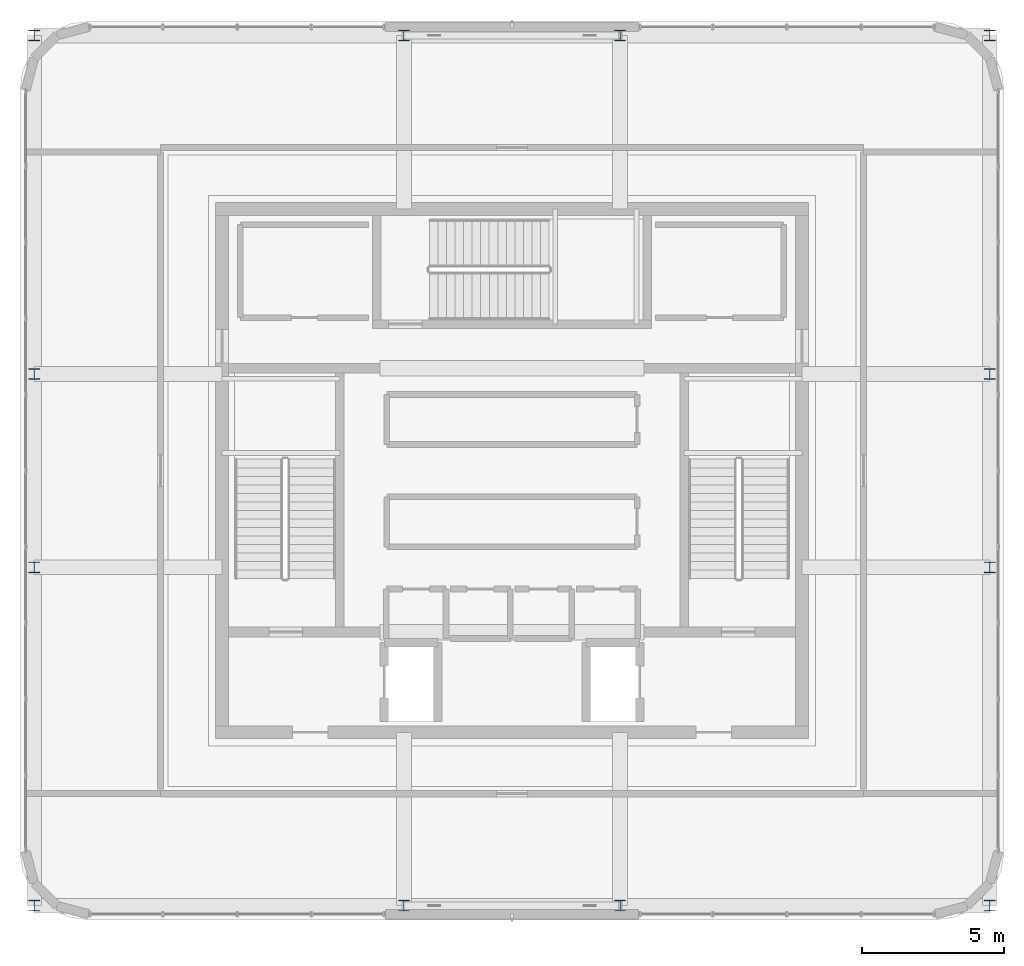
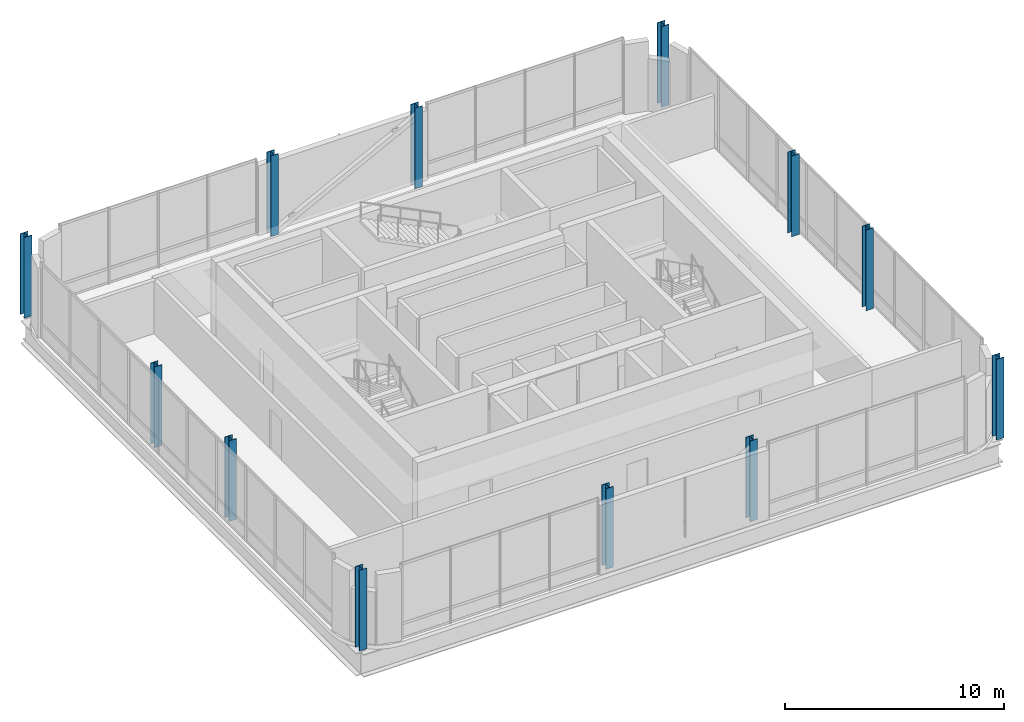
# One storey, part 1 of 25: 12 columns.
"""IFC4 building model written with IfcOpenShell, lengths in metres."""

from ifc_helpers import new_model, si_unit, direction, frame, origin, origin_2d, place, context, subcontext, project, spatial, i_section, extrude, material, material_profile, profile_set, type_object, element, save


model = new_model("IFC4")

# Units and contexts
model_context = context("Model", 3, precision=1e-05, world=origin(), true_north=direction((0.0, 1.0)))
body_context = subcontext(model_context, "Body", "Model", "MODEL_VIEW")
ifc_project = project(units=[si_unit("LENGTHUNIT", "METRE"), si_unit("AREAUNIT", "SQUARE_METRE"), si_unit("VOLUMEUNIT", "CUBIC_METRE"), si_unit("PLANEANGLEUNIT", "RADIAN"), si_unit("MASSUNIT", "GRAM", prefix="KILO")], contexts=[model_context])

# Site, building, storey
site_placement = place(None, origin())
site = spatial("IfcSite", under=ifc_project, at=site_placement, CompositionType="ELEMENT")
building_placement = place(site_placement, origin())
building = spatial("IfcBuilding", under=site, at=building_placement, Name="Punatoya Terracotta Tower", CompositionType="ELEMENT")
storey_placement = place(building_placement, frame((0.0, 0.0, 357.300048828125)))
storey = spatial("IfcBuildingStorey", under=building, at=storey_placement, Name="L84", CompositionType="ELEMENT", Elevation=357.300048828125)

# Columns
ifc_material = material(Name="Steel S355", Category="steel")
ifc_material_profile = material_profile(ifc_material, i_section(OverallWidth=0.39794921875, OverallDepth=0.386962890625, WebThickness=0.02099609375, FlangeThickness=0.032958984375, FilletRadius=0.01806640625, at=origin_2d()))
ifc_profile_set = profile_set([ifc_material_profile], Name="Steel S355")
column_type = type_object("IfcColumnType", Name="COL-CR-1", PredefinedType="COLUMN", material=ifc_profile_set)
for number, where, z_axis, x_axis, name in (
    (1, (-3.800048828125, -15.300048828125, 0.0), (0.0, 0.0, 1.0), (1.0, 0.0, 0.0), "L84 Baradari Crown Column CS1"),
    (2, (3.800048828125, -15.300048828125, 0.0), (0.0, 0.0, 1.0), (1.0, 0.0, 0.0), "L84 Baradari Crown Column CS2"),
    (3, (-3.800048828125, 15.300048828125, 0.0), (0.0, 0.0, 1.0), (1.0, 0.0, 0.0), "L84 Baradari Crown Column CN1"),
    (4, (3.800048828125, 15.300048828125, 0.0), (0.0, 0.0, 1.0), (1.0, 0.0, 0.0), "L84 Baradari Crown Column CN2"),
    (5, (-16.800048828125, -3.39990234375, 0.0), (0.0, 0.0, 1.0), (1.0, 0.0, 0.0), "L84 Baradari Crown Column CW1"),
    (6, (-16.800048828125, 3.39990234375, 0.0), (0.0, 0.0, 1.0), (1.0, 0.0, 0.0), "L84 Baradari Crown Column CW2"),
    (7, (16.800048828125, -3.39990234375, 0.0), (0.0, 0.0, 1.0), (1.0, 0.0, 0.0), "L84 Baradari Crown Column CE1"),
    (8, (16.800048828125, 3.39990234375, 0.0), (0.0, 0.0, 1.0), (1.0, 0.0, 0.0), "L84 Baradari Crown Column CE2"),
    (9, (-16.800048828125, -15.300048828125, 0.0), (0.0, 0.0, 1.0), (1.0, 0.0, 0.0), "L84 Baradari Crown Column CRN1"),
    (10, (16.800048828125, -15.300048828125, 0.0), (0.0, 0.0, 1.0), (1.0, 0.0, 0.0), "L84 Baradari Crown Column CRN2"),
    (11, (16.800048828125, 15.300048828125, 0.0), (0.0, 0.0, 1.0), (1.0, 0.0, 0.0), "L84 Baradari Crown Column CRN3"),
    (12, (-16.800048828125, 15.300048828125, 0.0), (0.0, 0.0, 1.0), (1.0, 0.0, 0.0), "L84 Baradari Crown Column CRN4"),
):
    element("IfcColumn", number, at=place(storey_placement, frame(where, z_axis=z_axis, x_axis=x_axis)), inside=storey, type_object=column_type, Name=name, PredefinedType="COLUMN", context=body_context, shape_type="SweptSolid", body=[
        extrude(i_section(OverallWidth=0.39794921875, OverallDepth=0.386962890625, WebThickness=0.02099609375, FlangeThickness=0.032958984375, FilletRadius=0.01806640625, at=origin_2d()), origin(), (0.0, 0.0, 1.0), 4.498046875),
    ])

save(model, "model.ifc")
